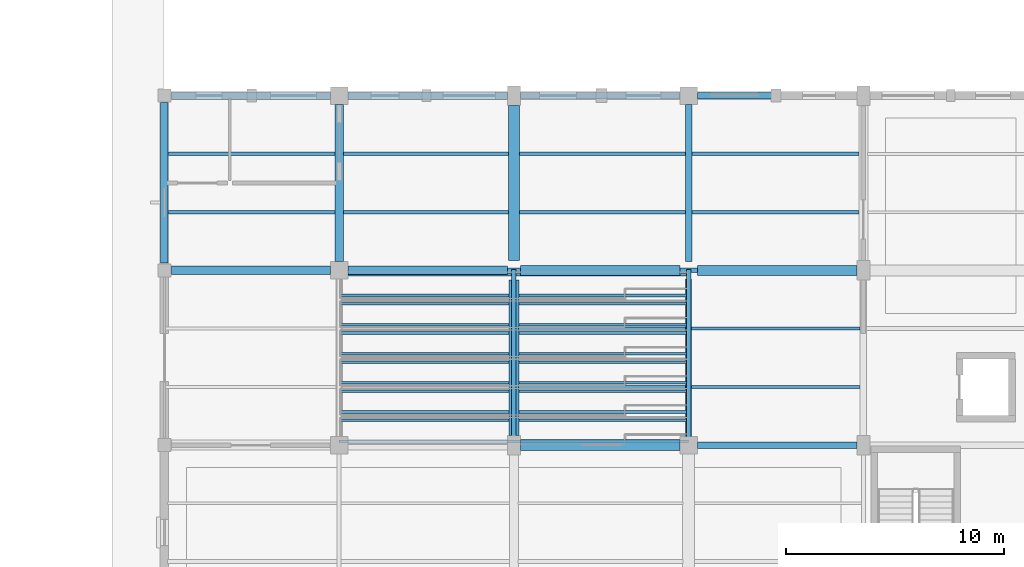
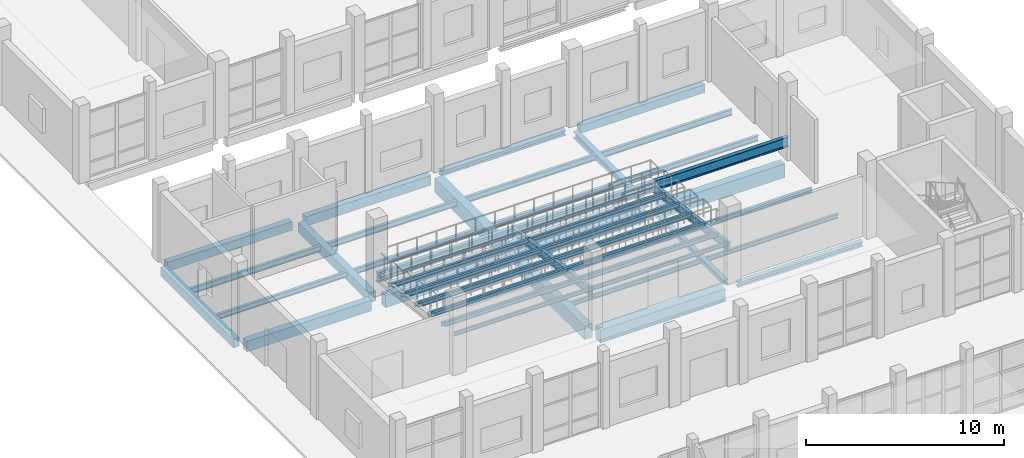
# One storey, part 77 of 156: 43 beams.
"""IFC4 building model written with IfcOpenShell, lengths in metres."""

from ifc_helpers import new_model, si_unit, direction, frame, origin, origin_2d, place, context, subcontext, project, spatial, rectangle, i_section, extrude, material, material_profile, profile_set, type_object, element, save


model = new_model("IFC4")

# Units and contexts
model_context = context("Model", 3, precision=1e-05, world=origin(), true_north=direction((0.0, 1.0)))
body_context = subcontext(model_context, "Body", "Model", "MODEL_VIEW")
ifc_project = project(units=[si_unit("LENGTHUNIT", "METRE"), si_unit("AREAUNIT", "SQUARE_METRE"), si_unit("VOLUMEUNIT", "CUBIC_METRE"), si_unit("PLANEANGLEUNIT", "RADIAN"), si_unit("MASSUNIT", "GRAM", prefix="KILO")], contexts=[model_context])

# Site, building, storey
site_placement = place(None, origin())
site = spatial("IfcSite", under=ifc_project, at=site_placement, CompositionType="ELEMENT")
building_placement = place(site_placement, origin())
building = spatial("IfcBuilding", under=site, at=building_placement, Name="Luwemba Playhouse", CompositionType="ELEMENT")
storey_placement = place(building_placement, origin())
storey = spatial("IfcBuildingStorey", under=building, at=storey_placement, Name="L00", CompositionType="ELEMENT", Elevation=0.0)

# Beams
ifc_material_1 = material(Name="Concrete C40/50", Category="concrete")
ifc_material_profile_1 = material_profile(ifc_material_1, rectangle(XDim=0.39990234375, YDim=0.60009765625, at=origin_2d()))
ifc_profile_set_1 = profile_set([ifc_material_profile_1], Name="Concrete C40/50")
beam_type_1 = type_object("IfcBeamType", Name="BM-RB01", PredefinedType="BEAM", material=ifc_profile_set_1)
beam_1_placement = place(storey_placement, frame((140.0, 52.39990234375, -0.60009765625), z_axis=(0.0, 1.0, 0.0), x_axis=(-1.0, 0.0, 0.0)))
element("IfcBeam", 1, at=beam_1_placement, inside=storey, type_object=beam_type_1, Name="L00 transverse girder 0099", PredefinedType="BEAM", context=body_context, shape_type="SweptSolid", body=[
    extrude(rectangle(XDim=0.39990234375, YDim=0.60009765625, at=origin_2d()), origin(), (0.0, 0.0, 1.0), 7.2001953125),
])
ifc_material_profile_2 = material_profile(ifc_material_1, rectangle(XDim=0.39990234375, YDim=0.64990234375, at=origin_2d()))
ifc_profile_set_2 = profile_set([ifc_material_profile_2], Name="Concrete C40/50")
beam_type_2 = type_object("IfcBeamType", Name="BM-RB02", PredefinedType="BEAM", material=ifc_profile_set_2)
beam_2_placement = place(storey_placement, frame((132.324951171875, 52.0, -0.625), z_axis=(1.0, 0.0, 0.0), x_axis=(0.0, 1.0, 0.0)))
element("IfcBeam", 2, at=beam_2_placement, inside=storey, type_object=beam_type_2, Name="L00 grid girder 0084", PredefinedType="BEAM", context=body_context, shape_type="SweptSolid", body=[
    extrude(rectangle(XDim=0.39990234375, YDim=0.64990234375, at=origin_2d()), origin(), (0.0, 0.0, 1.0), 7.275146484375),
])
ifc_material_profile_3 = material_profile(ifc_material_1, rectangle(XDim=0.39990234375, YDim=0.75, at=origin_2d()))
ifc_profile_set_3 = profile_set([ifc_material_profile_3], Name="Concrete C40/50")
beam_type_3 = type_object("IfcBeamType", Name="BM-RB03", PredefinedType="BEAM", material=ifc_profile_set_3)
beam_3_placement = place(storey_placement, frame((140.39990234375, 52.0, -0.675048828125), z_axis=(1.0, 0.0, 0.0), x_axis=(0.0, 1.0, 0.0)))
element("IfcBeam", 3, at=beam_3_placement, inside=storey, type_object=beam_type_3, Name="L00 grid girder 0085", PredefinedType="BEAM", context=body_context, shape_type="SweptSolid", body=[
    extrude(rectangle(XDim=0.39990234375, YDim=0.75, at=origin_2d()), origin(), (0.0, 0.0, 1.0), 7.300048828125),
])
ifc_material_profile_4 = material_profile(ifc_material_1, rectangle(XDim=0.449951171875, YDim=0.75, at=origin_2d()))
ifc_profile_set_4 = profile_set([ifc_material_profile_4], Name="Concrete C40/50")
beam_type_4 = type_object("IfcBeamType", Name="BM-RB04", PredefinedType="BEAM", material=ifc_profile_set_4)
beam_4_placement = place(storey_placement, frame((148.300048828125, 52.0, -0.675048828125), z_axis=(1.0, 0.0, 0.0), x_axis=(0.0, 1.0, 0.0)))
element("IfcBeam", 4, at=beam_4_placement, inside=storey, type_object=beam_type_4, Name="L00 grid girder 0086", PredefinedType="BEAM", context=body_context, shape_type="SweptSolid", body=[
    extrude(rectangle(XDim=0.449951171875, YDim=0.75, at=origin_2d()), origin(), (0.0, 0.0, 1.0), 7.300048828125),
])
ifc_material_profile_5 = material_profile(ifc_material_1, rectangle(XDim=0.449951171875, YDim=0.85009765625, at=origin_2d()))
ifc_profile_set_5 = profile_set([ifc_material_profile_5], Name="Concrete C40/50")
beam_type_5 = type_object("IfcBeamType", Name="BM-RB05", PredefinedType="BEAM", material=ifc_profile_set_5)
beam_5_placement = place(storey_placement, frame((156.39990234375, 52.0, -0.72509765625), z_axis=(1.0, 0.0, 0.0), x_axis=(0.0, 1.0, 0.0)))
element("IfcBeam", 5, at=beam_5_placement, inside=storey, type_object=beam_type_5, Name="L00 grid girder 0087", PredefinedType="BEAM", context=body_context, shape_type="SweptSolid", body=[
    extrude(rectangle(XDim=0.449951171875, YDim=0.85009765625, at=origin_2d()), origin(), (0.0, 0.0, 1.0), 7.300048828125),
])
beam_6_placement = place(storey_placement, frame((148.0, 44.449951171875, -0.72509765625), z_axis=(0.0, 1.0, 0.0), x_axis=(-1.0, 0.0, 0.0)))
element("IfcBeam", 6, at=beam_6_placement, inside=storey, type_object=beam_type_5, Name="L00 transverse girder 0101", PredefinedType="BEAM", context=body_context, shape_type="SweptSolid", body=[
    extrude(rectangle(XDim=0.449951171875, YDim=0.85009765625, at=origin_2d()), origin(), (0.0, 0.0, 1.0), 7.10009765625),
])
ifc_material_profile_6 = material_profile(ifc_material_1, rectangle(XDim=0.5, YDim=0.800048828125, at=origin_2d()))
ifc_profile_set_6 = profile_set([ifc_material_profile_6], Name="Concrete C40/50")
beam_type_6 = type_object("IfcBeamType", Name="BM-RB06", PredefinedType="BEAM", material=ifc_profile_set_6)
beam_7_placement = place(storey_placement, frame((148.300048828125, 44.0, -0.699951171875), z_axis=(1.0, 0.0, 0.0), x_axis=(0.0, 1.0, 0.0)))
element("IfcBeam", 7, at=beam_7_placement, inside=storey, type_object=beam_type_6, Name="L00 grid girder 0081", PredefinedType="BEAM", context=body_context, shape_type="SweptSolid", body=[
    extrude(rectangle(XDim=0.5, YDim=0.800048828125, at=origin_2d()), origin(), (0.0, 0.0, 1.0), 7.300048828125),
])
ifc_material_profile_7 = material_profile(ifc_material_1, rectangle(XDim=0.5, YDim=0.89990234375, at=origin_2d()))
ifc_profile_set_7 = profile_set([ifc_material_profile_7], Name="Concrete C40/50")
beam_type_7 = type_object("IfcBeamType", Name="BM-RB07", PredefinedType="BEAM", material=ifc_profile_set_7)
beam_8_placement = place(storey_placement, frame((148.0, 52.449951171875, -0.75), z_axis=(0.0, 1.0, 0.0), x_axis=(-1.0, 0.0, 0.0)))
element("IfcBeam", 8, at=beam_8_placement, inside=storey, type_object=beam_type_7, Name="L00 transverse girder 0102", PredefinedType="BEAM", context=body_context, shape_type="SweptSolid", body=[
    extrude(rectangle(XDim=0.5, YDim=0.89990234375, at=origin_2d()), origin(), (0.0, 0.0, 1.0), 7.10009765625),
])
ifc_material_2 = material(Name="Steel S355", Category="steel")
ifc_material_profile_8 = material_profile(ifc_material_2, i_section(OverallWidth=0.199951171875, OverallDepth=0.5, WebThickness=0.01025390625, FlangeThickness=0.01611328125, FilletRadius=0.02099609375, at=origin_2d()))
ifc_profile_set_8 = profile_set([ifc_material_profile_8], Name="Steel S355")
beam_type_8 = type_object("IfcBeamType", Name="BM-RK1", PredefinedType="USERDEFINED", material=ifc_profile_set_8)
for number, where, z_axis, x_axis, name in (
    (9, (148.0, 44.0, 1.97998046875), (0.0, 0.991627894633, -0.129128302808), (-1.0, 0.0, 0.0), "RAKER girder Studio 17"),
    (10, (156.0, 44.0, 1.97998046875), (0.0, 0.991627894633, -0.129128302808), (-1.0, 0.0, 0.0), "RAKER girder Studio 18"),
):
    element("IfcBeam", number, at=place(storey_placement, frame(where, z_axis=z_axis, x_axis=x_axis)), inside=storey, type_object=beam_type_8, Name=name, ObjectType="RAKER", PredefinedType="USERDEFINED", context=body_context, shape_type="SweptSolid", body=[
        extrude(i_section(OverallWidth=0.199951171875, OverallDepth=0.5, WebThickness=0.01025390625, FlangeThickness=0.01611328125, FilletRadius=0.02099609375, at=origin_2d()), origin(), (0.0, 0.0, 1.0), 8.067626953125),
    ])
ifc_material_profile_9 = material_profile(ifc_material_2, i_section(OverallWidth=0.280029296875, OverallDepth=0.27001953125, WebThickness=0.008056640625, FlangeThickness=0.012939453125, FilletRadius=0.02392578125, at=origin_2d()))
ifc_profile_set_9 = profile_set([ifc_material_profile_9], Name="Steel S355")
beam_type_9 = type_object("IfcBeamType", Name="BM-SB02", PredefinedType="BEAM", material=ifc_profile_set_9)
beam_9_placement = place(storey_placement, frame((156.0, 44.39990234375, -0.43505859375), z_axis=(0.0, 1.0, 0.0), x_axis=(-1.0, 0.0, 0.0)))
element("IfcBeam", 11, at=beam_9_placement, inside=storey, type_object=beam_type_9, Name="L00 transverse girder 0104", PredefinedType="BEAM", context=body_context, shape_type="SweptSolid", body=[
    extrude(i_section(OverallWidth=0.280029296875, OverallDepth=0.27001953125, WebThickness=0.008056640625, FlangeThickness=0.012939453125, FilletRadius=0.02392578125, at=origin_2d()), origin(), (0.0, 0.0, 1.0), 7.2001953125),
])
ifc_material_profile_10 = material_profile(ifc_material_2, i_section(OverallWidth=0.300048828125, OverallDepth=0.2900390625, WebThickness=0.008544921875, FlangeThickness=0.013916015625, FilletRadius=0.027099609375, at=origin_2d()))
ifc_profile_set_10 = profile_set([ifc_material_profile_10], Name="Steel S355")
beam_type_10 = type_object("IfcBeamType", Name="BM-SB03", PredefinedType="BEAM", material=ifc_profile_set_10)
beam_10_placement = place(storey_placement, frame((156.39990234375, 44.0, -0.445068359375), z_axis=(1.0, 0.0, 0.0), x_axis=(0.0, 1.0, 0.0)))
element("IfcBeam", 12, at=beam_10_placement, inside=storey, type_object=beam_type_10, Name="L00 grid girder 0082", PredefinedType="BEAM", context=body_context, shape_type="SweptSolid", body=[
    extrude(i_section(OverallWidth=0.300048828125, OverallDepth=0.2900390625, WebThickness=0.008544921875, FlangeThickness=0.013916015625, FilletRadius=0.027099609375, at=origin_2d()), origin(), (0.0, 0.0, 1.0), 7.300048828125),
])
ifc_material_profile_11 = material_profile(ifc_material_2, i_section(OverallWidth=0.300048828125, OverallDepth=0.389892578125, WebThickness=0.010986328125, FlangeThickness=0.01904296875, FilletRadius=0.027099609375, at=origin_2d()))
ifc_profile_set_11 = profile_set([ifc_material_profile_11], Name="Steel S355")
beam_type_11 = type_object("IfcBeamType", Name="BM-SB05", PredefinedType="BEAM", material=ifc_profile_set_11)
beam_11_placement = place(storey_placement, frame((156.0, 52.39990234375, -0.4951171875), z_axis=(0.0, 1.0, 0.0), x_axis=(-1.0, 0.0, 0.0)))
element("IfcBeam", 13, at=beam_11_placement, inside=storey, type_object=beam_type_11, Name="L00 transverse girder 0105", PredefinedType="BEAM", context=body_context, shape_type="SweptSolid", body=[
    extrude(i_section(OverallWidth=0.300048828125, OverallDepth=0.389892578125, WebThickness=0.010986328125, FlangeThickness=0.01904296875, FilletRadius=0.027099609375, at=origin_2d()), origin(), (0.0, 0.0, 1.0), 7.2001953125),
])
ifc_material_profile_12 = material_profile(ifc_material_2, i_section(OverallWidth=0.219970703125, OverallDepth=0.60009765625, WebThickness=0.011962890625, FlangeThickness=0.01904296875, FilletRadius=0.02392578125, at=origin_2d()))
ifc_profile_set_12 = profile_set([ifc_material_profile_12], Name="Steel S355")
beam_type_12 = type_object("IfcBeamType", Name="BM-SB08", PredefinedType="BEAM", material=ifc_profile_set_12)
beam_12_placement = place(storey_placement, frame((140.0, 52.0, 0.87841796875), z_axis=(1.0, 0.0, 0.0), x_axis=(0.0, 1.0, 0.0)))
element("IfcBeam", 14, at=beam_12_placement, inside=storey, type_object=beam_type_12, Name="L00 Studio raker front support girder", PredefinedType="BEAM", context=body_context, shape_type="SweptSolid", body=[
    extrude(i_section(OverallWidth=0.219970703125, OverallDepth=0.60009765625, WebThickness=0.011962890625, FlangeThickness=0.01904296875, FilletRadius=0.02392578125, at=origin_2d()), origin(), (0.0, 0.0, 1.0), 24.0),
])
ifc_material_profile_13 = material_profile(ifc_material_2, i_section(OverallWidth=0.1201171875, OverallDepth=0.239990234375, WebThickness=0.006103515625, FlangeThickness=0.009765625, FilletRadius=0.014892578125, at=origin_2d()))
ifc_profile_set_13 = profile_set([ifc_material_profile_13], Name="Steel S355")
beam_type_13 = type_object("IfcBeamType", Name="BM-SJ03", PredefinedType="JOIST", material=ifc_profile_set_13)
for number, where, z_axis, x_axis, name in (
    (15, (140.0, 44.179931640625, 2.10498046875), (1.0, 0.0, 0.0), (0.0, 1.0, 0.0), "Stand Studio step bearer 18-1"),
    (16, (140.0, 45.13330078125, 2.10498046875), (1.0, 0.0, 0.0), (0.0, 1.0, 0.0), "Stand Studio step bearer 18-2"),
    (17, (140.0, 45.51318359375, 1.896728515625), (1.0, 0.0, 0.0), (0.0, 1.0, 0.0), "Stand Studio step bearer 19-1"),
    (18, (140.0, 46.466552734375, 1.896728515625), (1.0, 0.0, 0.0), (0.0, 1.0, 0.0), "Stand Studio step bearer 19-2"),
    (19, (140.0, 46.8466796875, 1.688232421875), (1.0, 0.0, 0.0), (0.0, 1.0, 0.0), "Stand Studio step bearer 20-1"),
    (20, (140.0, 47.800048828125, 1.688232421875), (1.0, 0.0, 0.0), (0.0, 1.0, 0.0), "Stand Studio step bearer 20-2"),
    (21, (140.0, 48.179931640625, 1.47998046875), (1.0, 0.0, 0.0), (0.0, 1.0, 0.0), "Stand Studio step bearer 21-1"),
    (22, (140.0, 49.13330078125, 1.47998046875), (1.0, 0.0, 0.0), (0.0, 1.0, 0.0), "Stand Studio step bearer 21-2"),
    (23, (140.0, 49.51318359375, 1.271728515625), (1.0, 0.0, 0.0), (0.0, 1.0, 0.0), "Stand Studio step bearer 22-1"),
    (24, (140.0, 50.466552734375, 1.271728515625), (1.0, 0.0, 0.0), (0.0, 1.0, 0.0), "Stand Studio step bearer 22-2"),
    (25, (140.0, 50.8466796875, 1.063232421875), (1.0, 0.0, 0.0), (0.0, 1.0, 0.0), "Stand Studio step bearer 23-1"),
    (26, (140.0, 51.800048828125, 1.063232421875), (1.0, 0.0, 0.0), (0.0, 1.0, 0.0), "Stand Studio step bearer 23-2"),
):
    element("IfcBeam", number, at=place(storey_placement, frame(where, z_axis=z_axis, x_axis=x_axis)), inside=storey, type_object=beam_type_13, Name=name, PredefinedType="JOIST", context=body_context, shape_type="SweptSolid", body=[
        extrude(i_section(OverallWidth=0.1201171875, OverallDepth=0.239990234375, WebThickness=0.006103515625, FlangeThickness=0.009765625, FilletRadius=0.014892578125, at=origin_2d()), origin(), (0.0, 0.0, 1.0), 16.0),
    ])
ifc_material_profile_14 = material_profile(ifc_material_2, i_section(OverallWidth=0.135009765625, OverallDepth=0.27001953125, WebThickness=0.006591796875, FlangeThickness=0.01025390625, FilletRadius=0.014892578125, at=origin_2d()))
ifc_profile_set_14 = profile_set([ifc_material_profile_14], Name="Steel S355")
beam_type_14 = type_object("IfcBeamType", Name="BM-SJ04", PredefinedType="JOIST", material=ifc_profile_set_14)
beam_13_placement = place(storey_placement, frame((148.220947265625, 46.666748046875, -0.43505859375), z_axis=(1.0, 0.0, 0.0), x_axis=(0.0, 1.0, 0.0)))
element("IfcBeam", 27, at=beam_13_placement, inside=storey, type_object=beam_type_14, Name="L00 composite floor joist 0084", PredefinedType="JOIST", context=body_context, shape_type="SweptSolid", body=[
    extrude(i_section(OverallWidth=0.135009765625, OverallDepth=0.27001953125, WebThickness=0.006591796875, FlangeThickness=0.01025390625, FilletRadius=0.014892578125, at=origin_2d()), origin(), (0.0, 0.0, 1.0), 7.64306640625),
])
beam_14_placement = place(storey_placement, frame((156.135986328125, 46.666748046875, -0.43505859375), z_axis=(1.0, 0.0, 0.0), x_axis=(0.0, 1.0, 0.0)))
element("IfcBeam", 28, at=beam_14_placement, inside=storey, type_object=beam_type_14, Name="L00 composite floor joist 0090", PredefinedType="JOIST", context=body_context, shape_type="SweptSolid", body=[
    extrude(i_section(OverallWidth=0.135009765625, OverallDepth=0.27001953125, WebThickness=0.006591796875, FlangeThickness=0.01025390625, FilletRadius=0.014892578125, at=origin_2d()), origin(), (0.0, 0.0, 1.0), 7.718017578125),
])
ifc_material_profile_15 = material_profile(ifc_material_2, i_section(OverallWidth=0.14990234375, OverallDepth=0.300048828125, WebThickness=0.007080078125, FlangeThickness=0.0107421875, FilletRadius=0.014892578125, at=origin_2d()))
ifc_profile_set_15 = profile_set([ifc_material_profile_15], Name="Steel S355")
beam_type_15 = type_object("IfcBeamType", Name="BM-SJ05", PredefinedType="JOIST", material=ifc_profile_set_15)
beam_15_placement = place(storey_placement, frame((148.220947265625, 49.333251953125, -0.449951171875), z_axis=(1.0, 0.0, 0.0), x_axis=(0.0, 1.0, 0.0)))
element("IfcBeam", 29, at=beam_15_placement, inside=storey, type_object=beam_type_15, Name="L00 composite floor joist 0085", PredefinedType="JOIST", context=body_context, shape_type="SweptSolid", body=[
    extrude(i_section(OverallWidth=0.14990234375, OverallDepth=0.300048828125, WebThickness=0.007080078125, FlangeThickness=0.0107421875, FilletRadius=0.014892578125, at=origin_2d()), origin(), (0.0, 0.0, 1.0), 7.64306640625),
])
beam_16_placement = place(storey_placement, frame((156.135986328125, 49.333251953125, -0.449951171875), z_axis=(1.0, 0.0, 0.0), x_axis=(0.0, 1.0, 0.0)))
element("IfcBeam", 30, at=beam_16_placement, inside=storey, type_object=beam_type_15, Name="L00 composite floor joist 0091", PredefinedType="JOIST", context=body_context, shape_type="SweptSolid", body=[
    extrude(i_section(OverallWidth=0.14990234375, OverallDepth=0.300048828125, WebThickness=0.007080078125, FlangeThickness=0.0107421875, FilletRadius=0.014892578125, at=origin_2d()), origin(), (0.0, 0.0, 1.0), 7.718017578125),
])
ifc_material_profile_16 = material_profile(ifc_material_2, i_section(OverallWidth=0.159912109375, OverallDepth=0.330078125, WebThickness=0.007568359375, FlangeThickness=0.011474609375, FilletRadius=0.01806640625, at=origin_2d()))
ifc_profile_set_16 = profile_set([ifc_material_profile_16], Name="Steel S355")
beam_type_16 = type_object("IfcBeamType", Name="BM-SJ06", PredefinedType="JOIST", material=ifc_profile_set_16)
beam_17_placement = place(storey_placement, frame((132.1708984375, 54.666748046875, -0.465087890625), z_axis=(1.0, 0.0, 0.0), x_axis=(0.0, 1.0, 0.0)))
element("IfcBeam", 31, at=beam_17_placement, inside=storey, type_object=beam_type_16, Name="L00 composite floor joist 0074", PredefinedType="JOIST", context=body_context, shape_type="SweptSolid", body=[
    extrude(i_section(OverallWidth=0.159912109375, OverallDepth=0.330078125, WebThickness=0.007568359375, FlangeThickness=0.011474609375, FilletRadius=0.01806640625, at=origin_2d()), origin(), (0.0, 0.0, 1.0), 7.633056640625),
])
beam_18_placement = place(storey_placement, frame((140.196044921875, 54.666748046875, -0.465087890625), z_axis=(1.0, 0.0, 0.0), x_axis=(0.0, 1.0, 0.0)))
element("IfcBeam", 32, at=beam_18_placement, inside=storey, type_object=beam_type_16, Name="L00 composite floor joist 0080", PredefinedType="JOIST", context=body_context, shape_type="SweptSolid", body=[
    extrude(i_section(OverallWidth=0.159912109375, OverallDepth=0.330078125, WebThickness=0.007568359375, FlangeThickness=0.011474609375, FilletRadius=0.01806640625, at=origin_2d()), origin(), (0.0, 0.0, 1.0), 7.557861328125),
])
beam_19_placement = place(storey_placement, frame((148.24609375, 54.666748046875, -0.465087890625), z_axis=(1.0, 0.0, 0.0), x_axis=(0.0, 1.0, 0.0)))
element("IfcBeam", 33, at=beam_19_placement, inside=storey, type_object=beam_type_16, Name="L00 composite floor joist 0086", PredefinedType="JOIST", context=body_context, shape_type="SweptSolid", body=[
    extrude(i_section(OverallWidth=0.159912109375, OverallDepth=0.330078125, WebThickness=0.007568359375, FlangeThickness=0.011474609375, FilletRadius=0.01806640625, at=origin_2d()), origin(), (0.0, 0.0, 1.0), 7.60791015625),
])
beam_20_placement = place(storey_placement, frame((156.14599609375, 54.666748046875, -0.465087890625), z_axis=(1.0, 0.0, 0.0), x_axis=(0.0, 1.0, 0.0)))
element("IfcBeam", 34, at=beam_20_placement, inside=storey, type_object=beam_type_16, Name="L00 composite floor joist 0092", PredefinedType="JOIST", context=body_context, shape_type="SweptSolid", body=[
    extrude(i_section(OverallWidth=0.159912109375, OverallDepth=0.330078125, WebThickness=0.007568359375, FlangeThickness=0.011474609375, FilletRadius=0.01806640625, at=origin_2d()), origin(), (0.0, 0.0, 1.0), 7.657958984375),
])
ifc_material_profile_17 = material_profile(ifc_material_2, i_section(OverallWidth=0.169921875, OverallDepth=0.360107421875, WebThickness=0.008056640625, FlangeThickness=0.0126953125, FilletRadius=0.01806640625, at=origin_2d()))
ifc_profile_set_17 = profile_set([ifc_material_profile_17], Name="Steel S355")
beam_type_17 = type_object("IfcBeamType", Name="BM-SJ07", PredefinedType="JOIST", material=ifc_profile_set_17)
beam_21_placement = place(storey_placement, frame((132.1708984375, 57.333251953125, -0.47998046875), z_axis=(1.0, 0.0, 0.0), x_axis=(0.0, 1.0, 0.0)))
element("IfcBeam", 35, at=beam_21_placement, inside=storey, type_object=beam_type_17, Name="L00 composite floor joist 0075", PredefinedType="JOIST", context=body_context, shape_type="SweptSolid", body=[
    extrude(i_section(OverallWidth=0.169921875, OverallDepth=0.360107421875, WebThickness=0.008056640625, FlangeThickness=0.0126953125, FilletRadius=0.01806640625, at=origin_2d()), origin(), (0.0, 0.0, 1.0), 7.633056640625),
])
beam_22_placement = place(storey_placement, frame((140.196044921875, 57.333251953125, -0.47998046875), z_axis=(1.0, 0.0, 0.0), x_axis=(0.0, 1.0, 0.0)))
element("IfcBeam", 36, at=beam_22_placement, inside=storey, type_object=beam_type_17, Name="L00 composite floor joist 0081", PredefinedType="JOIST", context=body_context, shape_type="SweptSolid", body=[
    extrude(i_section(OverallWidth=0.169921875, OverallDepth=0.360107421875, WebThickness=0.008056640625, FlangeThickness=0.0126953125, FilletRadius=0.01806640625, at=origin_2d()), origin(), (0.0, 0.0, 1.0), 7.557861328125),
])
beam_23_placement = place(storey_placement, frame((148.24609375, 57.333251953125, -0.47998046875), z_axis=(1.0, 0.0, 0.0), x_axis=(0.0, 1.0, 0.0)))
element("IfcBeam", 37, at=beam_23_placement, inside=storey, type_object=beam_type_17, Name="L00 composite floor joist 0087", PredefinedType="JOIST", context=body_context, shape_type="SweptSolid", body=[
    extrude(i_section(OverallWidth=0.169921875, OverallDepth=0.360107421875, WebThickness=0.008056640625, FlangeThickness=0.0126953125, FilletRadius=0.01806640625, at=origin_2d()), origin(), (0.0, 0.0, 1.0), 7.60791015625),
])
beam_24_placement = place(storey_placement, frame((156.14599609375, 57.333251953125, -0.47998046875), z_axis=(1.0, 0.0, 0.0), x_axis=(0.0, 1.0, 0.0)))
element("IfcBeam", 38, at=beam_24_placement, inside=storey, type_object=beam_type_17, Name="L00 composite floor joist 0093", PredefinedType="JOIST", context=body_context, shape_type="SweptSolid", body=[
    extrude(i_section(OverallWidth=0.169921875, OverallDepth=0.360107421875, WebThickness=0.008056640625, FlangeThickness=0.0126953125, FilletRadius=0.01806640625, at=origin_2d()), origin(), (0.0, 0.0, 1.0), 7.657958984375),
])
ifc_material_profile_18 = material_profile(ifc_material_1, rectangle(XDim=0.300048828125, YDim=0.5, at=origin_2d()))
ifc_profile_set_18 = profile_set([ifc_material_profile_18], Name="Concrete C40/50")
beam_type_18 = type_object("IfcBeamType", Name="BM-SP1", PredefinedType="SPANDREL", material=ifc_profile_set_18)
beam_25_placement = place(storey_placement, frame((156.39990234375, 60.0, -0.550048828125), z_axis=(1.0, 0.0, 0.0), x_axis=(0.0, 1.0, 0.0)))
element("IfcBeam", 39, at=beam_25_placement, inside=storey, type_object=beam_type_18, Name="L00 grid girder 0092", PredefinedType="SPANDREL", context=body_context, shape_type="SweptSolid", body=[
    extrude(rectangle(XDim=0.300048828125, YDim=0.5, at=origin_2d()), origin(), (0.0, 0.0, 1.0), 7.300048828125),
])
ifc_material_profile_19 = material_profile(ifc_material_1, rectangle(XDim=0.35009765625, YDim=0.550048828125, at=origin_2d()))
ifc_profile_set_19 = profile_set([ifc_material_profile_19], Name="Concrete C40/50")
beam_type_19 = type_object("IfcBeamType", Name="BM-SP2", PredefinedType="SPANDREL", material=ifc_profile_set_19)
beam_26_placement = place(storey_placement, frame((132.324951171875, 60.0, -0.574951171875), z_axis=(1.0, 0.0, 0.0), x_axis=(0.0, 1.0, 0.0)))
element("IfcBeam", 40, at=beam_26_placement, inside=storey, type_object=beam_type_19, Name="L00 grid girder 0089", PredefinedType="SPANDREL", context=body_context, shape_type="SweptSolid", body=[
    extrude(rectangle(XDim=0.35009765625, YDim=0.550048828125, at=origin_2d()), origin(), (0.0, 0.0, 1.0), 7.275146484375),
])
beam_27_placement = place(storey_placement, frame((132.0, 52.324951171875, -0.574951171875), z_axis=(0.0, 1.0, 0.0), x_axis=(-1.0, 0.0, 0.0)))
element("IfcBeam", 41, at=beam_27_placement, inside=storey, type_object=beam_type_19, Name="L00 transverse girder 0096", PredefinedType="SPANDREL", context=body_context, shape_type="SweptSolid", body=[
    extrude(rectangle(XDim=0.35009765625, YDim=0.550048828125, at=origin_2d()), origin(), (0.0, 0.0, 1.0), 7.35009765625),
])
ifc_material_profile_20 = material_profile(ifc_material_1, rectangle(XDim=0.35009765625, YDim=0.60009765625, at=origin_2d()))
ifc_profile_set_20 = profile_set([ifc_material_profile_20], Name="Concrete C40/50")
beam_type_20 = type_object("IfcBeamType", Name="BM-SP3", PredefinedType="SPANDREL", material=ifc_profile_set_20)
beam_28_placement = place(storey_placement, frame((140.39990234375, 60.0, -0.60009765625), z_axis=(1.0, 0.0, 0.0), x_axis=(0.0, 1.0, 0.0)))
element("IfcBeam", 42, at=beam_28_placement, inside=storey, type_object=beam_type_20, Name="L00 grid girder 0090", PredefinedType="SPANDREL", context=body_context, shape_type="SweptSolid", body=[
    extrude(rectangle(XDim=0.35009765625, YDim=0.60009765625, at=origin_2d()), origin(), (0.0, 0.0, 1.0), 7.300048828125),
])
ifc_material_profile_21 = material_profile(ifc_material_2, i_section(OverallWidth=0.300048828125, OverallDepth=0.300048828125, WebThickness=0.010986328125, FlangeThickness=0.01904296875, FilletRadius=0.027099609375, at=origin_2d()))
ifc_profile_set_21 = profile_set([ifc_material_profile_21], Name="Steel S355")
beam_type_21 = type_object("IfcBeamType", Name="BM-SSP1", PredefinedType="SPANDREL", material=ifc_profile_set_21)
beam_29_placement = place(storey_placement, frame((148.300048828125, 60.0, -0.449951171875), z_axis=(1.0, 0.0, 0.0), x_axis=(0.0, 1.0, 0.0)))
element("IfcBeam", 43, at=beam_29_placement, inside=storey, type_object=beam_type_21, Name="L00 grid girder 0091", PredefinedType="SPANDREL", context=body_context, shape_type="SweptSolid", body=[
    extrude(i_section(OverallWidth=0.300048828125, OverallDepth=0.300048828125, WebThickness=0.010986328125, FlangeThickness=0.01904296875, FilletRadius=0.027099609375, at=origin_2d()), origin(), (0.0, 0.0, 1.0), 7.300048828125),
])

save(model, "model.ifc")
